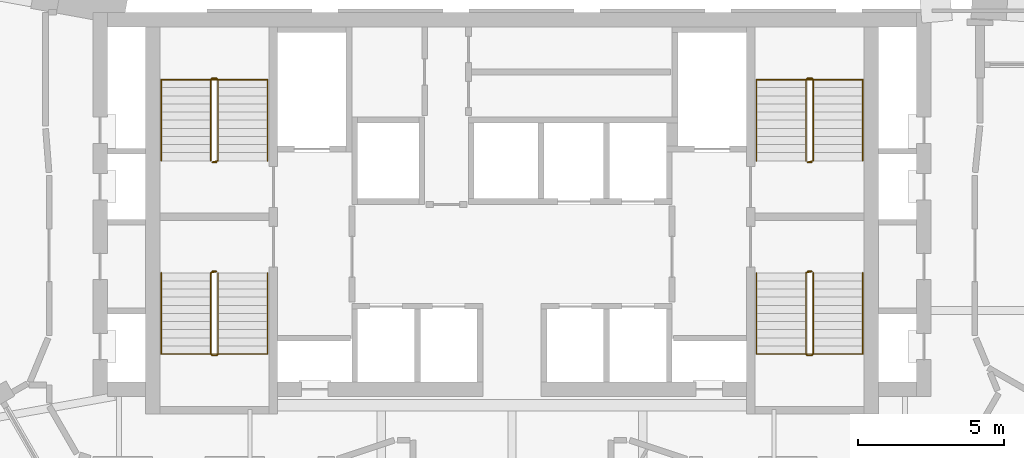
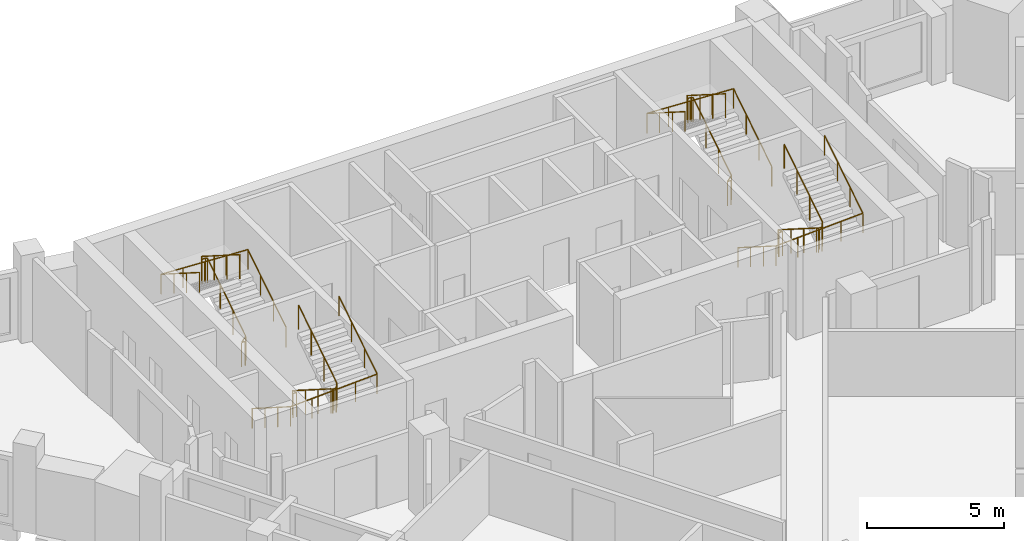
# One storey, part 9 of 9: 8 railings.
"""IFC4 building model written with IfcOpenShell, lengths in metres."""

from ifc_helpers import new_model, si_unit, direction, frame, origin, origin_2d, place, context, subcontext, project, spatial, circle, extrude, material, type_object, element, save


model = new_model("IFC4")

# Units and contexts
model_context = context("Model", 3, precision=1e-05, world=origin(), true_north=direction((0.0, 1.0)))
body_context = subcontext(model_context, "Body", "Model", "MODEL_VIEW")
ifc_project = project(units=[si_unit("LENGTHUNIT", "METRE"), si_unit("AREAUNIT", "SQUARE_METRE"), si_unit("VOLUMEUNIT", "CUBIC_METRE"), si_unit("PLANEANGLEUNIT", "RADIAN"), si_unit("MASSUNIT", "GRAM", prefix="KILO")], contexts=[model_context])

# Site, building, storey
site_placement = place(None, origin())
site = spatial("IfcSite", under=ifc_project, at=site_placement, CompositionType="ELEMENT")
building_placement = place(site_placement, origin())
building = spatial("IfcBuilding", under=site, at=building_placement, Name="Calabash Gate Tower", CompositionType="ELEMENT")
storey_placement = place(building_placement, frame((0.0, 0.0, 239.300048828125)))
storey = spatial("IfcBuildingStorey", under=building, at=storey_placement, Name="L57", CompositionType="ELEMENT", Elevation=239.300048828125)

# Railings
ifc_material_1 = material(Name="Black powder-coated steel balusters", Category="steel")
railing_type_1 = type_object("IfcRailingType", Name="Stair guard RL1100", PredefinedType="GUARDRAIL", material=ifc_material_1)
railing_1_placement = place(storey_placement, frame((-10.14990234375, 13.902587890625, 0.0)))
element("IfcRailing", 1, at=railing_1_placement, inside=storey, type_object=railing_type_1, Name="L57 ST1 stair guard 1", PredefinedType="GUARDRAIL", context=body_context, shape_type="SweptSolid", body=[
    extrude(circle(Radius=0.02392578125, at=origin_2d()), frame((0.0, 0.0, 1.076171875), z_axis=(-1.0, 0.0, 0.0), x_axis=(0.0, -1.0, 0.0)), (0.0, 0.0, 1.0), 0.150146484375),
    extrude(circle(Radius=0.02392578125, at=origin_2d()), frame((-0.150146484375, 0.0, 1.076171875), z_axis=(0.735524641326, 0.184105679453, 0.652003528208), x_axis=(-0.242814311512, 0.970072785993, 0.0)), (0.0, 0.0, 1.0), 0.271728515625),
    extrude(circle(Radius=0.02392578125, at=origin_2d()), frame((0.0498046875, 0.050048828125, 1.25341796875), z_axis=(0.0, 0.844041424197, 0.536277982245), x_axis=(-1.0, 0.0, 0.0)), (0.0, 0.0, 1.0), 3.3056640625),
    extrude(circle(Radius=0.02392578125, at=origin_2d()), frame((0.0498046875, 2.840087890625, 3.02587890625), z_axis=(-0.707106781187, 0.707106781187, 0.0), x_axis=(-0.707106781187, -0.707106781187, 0.0)), (0.0, 0.0, 1.0), 0.0703125),
    extrude(circle(Radius=0.02392578125, at=origin_2d()), frame((0.0, 2.889892578125, 3.02587890625), z_axis=(-1.0, 0.0, 0.0), x_axis=(0.0, -1.0, 0.0)), (0.0, 0.0, 1.0), 0.150146484375),
    extrude(circle(Radius=0.02392578125, at=origin_2d()), frame((-0.150146484375, 2.889892578125, 3.02587890625), z_axis=(-0.262321481514, -0.261041864531, 0.929001929653), x_axis=(0.705375805398, -0.708833529934, 0.0)), (0.0, 0.0, 1.0), 0.190673828125),
    extrude(circle(Radius=0.02392578125, at=origin_2d()), frame((-0.2001953125, 2.840087890625, 3.203125), z_axis=(0.0, -0.844041424197, 0.536277982245), x_axis=(1.0, 0.0, 0.0)), (0.0, 0.0, 1.0), 3.3056640625),
    extrude(circle(Radius=0.02099609375, at=origin_2d()), origin(), (0.0, 0.0, 1.0), 1.052001953125),
    extrude(circle(Radius=0.02099609375, at=origin_2d()), frame((-0.150146484375, 0.0, 0.0)), (0.0, 0.0, 1.0), 1.052001953125),
    extrude(circle(Radius=0.02099609375, at=origin_2d()), frame((0.0498046875, 0.050048828125, 0.17724609375)), (0.0, 0.0, 1.0), 1.052001953125),
    extrude(circle(Radius=0.02099609375, at=origin_2d()), frame((0.0498046875, 0.97998046875, 0.76806640625)), (0.0, 0.0, 1.0), 1.052001953125),
    extrude(circle(Radius=0.02099609375, at=origin_2d()), frame((0.0498046875, 1.91015625, 1.359130859375)), (0.0, 0.0, 1.0), 1.052001953125),
    extrude(circle(Radius=0.02099609375, at=origin_2d()), frame((0.0498046875, 2.840087890625, 1.949951171875)), (0.0, 0.0, 1.0), 1.052001953125),
    extrude(circle(Radius=0.02099609375, at=origin_2d()), frame((0.0, 2.889892578125, 1.949951171875)), (0.0, 0.0, 1.0), 1.052001953125),
    extrude(circle(Radius=0.02099609375, at=origin_2d()), frame((-0.150146484375, 2.889892578125, 1.949951171875)), (0.0, 0.0, 1.0), 1.052001953125),
    extrude(circle(Radius=0.02099609375, at=origin_2d()), frame((-0.2001953125, 2.840087890625, 2.127197265625)), (0.0, 0.0, 1.0), 1.052001953125),
    extrude(circle(Radius=0.02099609375, at=origin_2d()), frame((-0.2001953125, 1.91015625, 2.718017578125)), (0.0, 0.0, 1.0), 1.052001953125),
    extrude(circle(Radius=0.02099609375, at=origin_2d()), frame((-0.2001953125, 0.97998046875, 3.30908203125)), (0.0, 0.0, 1.0), 1.052001953125),
    extrude(circle(Radius=0.02099609375, at=origin_2d()), frame((-0.2001953125, 0.050048828125, 3.89990234375)), (0.0, 0.0, 1.0), 1.052001953125),
])
railing_2_placement = place(storey_placement, frame((-10.300048828125, 10.152587890625, 0.0)))
element("IfcRailing", 2, at=railing_2_placement, inside=storey, type_object=railing_type_1, Name="L57 ST2 stair guard 1", PredefinedType="GUARDRAIL", context=body_context, shape_type="SweptSolid", body=[
    extrude(circle(Radius=0.02392578125, at=origin_2d()), frame((0.0, 0.0, 1.076171875), z_axis=(1.0, 0.0, 0.0), x_axis=(0.0, 1.0, 0.0)), (0.0, 0.0, 1.0), 0.150146484375),
    extrude(circle(Radius=0.02392578125, at=origin_2d()), frame((0.150146484375, 0.0, 1.076171875), z_axis=(-0.735936453418, -0.183984113355, 0.651573006319), x_axis=(0.242535625036, -0.970142500145, 0.0)), (0.0, 0.0, 1.0), 0.27197265625),
    extrude(circle(Radius=0.02392578125, at=origin_2d()), frame((-0.050048828125, -0.050048828125, 1.25341796875), z_axis=(0.0, -0.844041424197, 0.536277982245), x_axis=(1.0, 0.0, 0.0)), (0.0, 0.0, 1.0), 3.3056640625),
    extrude(circle(Radius=0.02392578125, at=origin_2d()), frame((-0.050048828125, -2.840087890625, 3.02587890625), z_axis=(0.708833529934, -0.705375805398, 0.0), x_axis=(0.705375805398, 0.708833529934, 0.0)), (0.0, 0.0, 1.0), 0.070556640625),
    extrude(circle(Radius=0.02392578125, at=origin_2d()), frame((0.0, -2.889892578125, 3.02587890625), z_axis=(1.0, 0.0, 0.0), x_axis=(0.0, 1.0, 0.0)), (0.0, 0.0, 1.0), 0.150146484375),
    extrude(circle(Radius=0.02392578125, at=origin_2d()), frame((0.150146484375, -2.889892578125, 3.02587890625), z_axis=(0.261129318932, 0.261129318932, 0.929313164433), x_axis=(-0.707106781187, 0.707106781187, 0.0)), (0.0, 0.0, 1.0), 0.190673828125),
    extrude(circle(Radius=0.02392578125, at=origin_2d()), frame((0.199951171875, -2.840087890625, 3.203125), z_axis=(0.0, 0.844041424197, 0.536277982245), x_axis=(-1.0, 0.0, 0.0)), (0.0, 0.0, 1.0), 3.3056640625),
    extrude(circle(Radius=0.02099609375, at=origin_2d()), origin(), (0.0, 0.0, 1.0), 1.052001953125),
    extrude(circle(Radius=0.02099609375, at=origin_2d()), frame((0.150146484375, 0.0, 0.0)), (0.0, 0.0, 1.0), 1.052001953125),
    extrude(circle(Radius=0.02099609375, at=origin_2d()), frame((-0.050048828125, -0.050048828125, 0.17724609375)), (0.0, 0.0, 1.0), 1.052001953125),
    extrude(circle(Radius=0.02099609375, at=origin_2d()), frame((-0.050048828125, -0.97998046875, 0.76806640625)), (0.0, 0.0, 1.0), 1.052001953125),
    extrude(circle(Radius=0.02099609375, at=origin_2d()), frame((-0.050048828125, -1.91015625, 1.359130859375)), (0.0, 0.0, 1.0), 1.052001953125),
    extrude(circle(Radius=0.02099609375, at=origin_2d()), frame((-0.050048828125, -2.840087890625, 1.949951171875)), (0.0, 0.0, 1.0), 1.052001953125),
    extrude(circle(Radius=0.02099609375, at=origin_2d()), frame((0.0, -2.889892578125, 1.949951171875)), (0.0, 0.0, 1.0), 1.052001953125),
    extrude(circle(Radius=0.02099609375, at=origin_2d()), frame((0.150146484375, -2.889892578125, 1.949951171875)), (0.0, 0.0, 1.0), 1.052001953125),
    extrude(circle(Radius=0.02099609375, at=origin_2d()), frame((0.199951171875, -2.840087890625, 2.127197265625)), (0.0, 0.0, 1.0), 1.052001953125),
    extrude(circle(Radius=0.02099609375, at=origin_2d()), frame((0.199951171875, -1.91015625, 2.718017578125)), (0.0, 0.0, 1.0), 1.052001953125),
    extrude(circle(Radius=0.02099609375, at=origin_2d()), frame((0.199951171875, -0.97998046875, 3.30908203125)), (0.0, 0.0, 1.0), 1.052001953125),
    extrude(circle(Radius=0.02099609375, at=origin_2d()), frame((0.199951171875, -0.050048828125, 3.89990234375)), (0.0, 0.0, 1.0), 1.052001953125),
])
railing_3_placement = place(storey_placement, frame((10.300048828125, 13.902587890625, 0.0)))
element("IfcRailing", 3, at=railing_3_placement, inside=storey, type_object=railing_type_1, Name="L57 ST3 stair guard 1", PredefinedType="GUARDRAIL", context=body_context, shape_type="SweptSolid", body=[
    extrude(circle(Radius=0.02392578125, at=origin_2d()), frame((0.0, 0.0, 1.076171875), z_axis=(-1.0, 0.0, 0.0), x_axis=(0.0, -1.0, 0.0)), (0.0, 0.0, 1.0), 0.150146484375),
    extrude(circle(Radius=0.02392578125, at=origin_2d()), frame((-0.150146484375, 0.0, 1.076171875), z_axis=(0.735936453418, 0.183984113355, 0.651573006319), x_axis=(-0.242535625036, 0.970142500145, 0.0)), (0.0, 0.0, 1.0), 0.27197265625),
    extrude(circle(Radius=0.02392578125, at=origin_2d()), frame((0.050048828125, 0.050048828125, 1.25341796875), z_axis=(0.0, 0.844041424197, 0.536277982245), x_axis=(-1.0, 0.0, 0.0)), (0.0, 0.0, 1.0), 3.3056640625),
    extrude(circle(Radius=0.02392578125, at=origin_2d()), frame((0.050048828125, 2.840087890625, 3.02587890625), z_axis=(-0.708833529934, 0.705375805398, 0.0), x_axis=(-0.705375805398, -0.708833529934, 0.0)), (0.0, 0.0, 1.0), 0.070556640625),
    extrude(circle(Radius=0.02392578125, at=origin_2d()), frame((0.0, 2.889892578125, 3.02587890625), z_axis=(-1.0, 0.0, 0.0), x_axis=(0.0, -1.0, 0.0)), (0.0, 0.0, 1.0), 0.150146484375),
    extrude(circle(Radius=0.02392578125, at=origin_2d()), frame((-0.150146484375, 2.889892578125, 3.02587890625), z_axis=(-0.261129318932, -0.261129318932, 0.929313164433), x_axis=(0.707106781187, -0.707106781187, 0.0)), (0.0, 0.0, 1.0), 0.190673828125),
    extrude(circle(Radius=0.02392578125, at=origin_2d()), frame((-0.199951171875, 2.840087890625, 3.203125), z_axis=(0.0, -0.844041424197, 0.536277982245), x_axis=(1.0, 0.0, 0.0)), (0.0, 0.0, 1.0), 3.3056640625),
    extrude(circle(Radius=0.02099609375, at=origin_2d()), origin(), (0.0, 0.0, 1.0), 1.052001953125),
    extrude(circle(Radius=0.02099609375, at=origin_2d()), frame((-0.150146484375, 0.0, 0.0)), (0.0, 0.0, 1.0), 1.052001953125),
    extrude(circle(Radius=0.02099609375, at=origin_2d()), frame((0.050048828125, 0.050048828125, 0.17724609375)), (0.0, 0.0, 1.0), 1.052001953125),
    extrude(circle(Radius=0.02099609375, at=origin_2d()), frame((0.050048828125, 0.97998046875, 0.76806640625)), (0.0, 0.0, 1.0), 1.052001953125),
    extrude(circle(Radius=0.02099609375, at=origin_2d()), frame((0.050048828125, 1.91015625, 1.359130859375)), (0.0, 0.0, 1.0), 1.052001953125),
    extrude(circle(Radius=0.02099609375, at=origin_2d()), frame((0.050048828125, 2.840087890625, 1.949951171875)), (0.0, 0.0, 1.0), 1.052001953125),
    extrude(circle(Radius=0.02099609375, at=origin_2d()), frame((0.0, 2.889892578125, 1.949951171875)), (0.0, 0.0, 1.0), 1.052001953125),
    extrude(circle(Radius=0.02099609375, at=origin_2d()), frame((-0.150146484375, 2.889892578125, 1.949951171875)), (0.0, 0.0, 1.0), 1.052001953125),
    extrude(circle(Radius=0.02099609375, at=origin_2d()), frame((-0.199951171875, 2.840087890625, 2.127197265625)), (0.0, 0.0, 1.0), 1.052001953125),
    extrude(circle(Radius=0.02099609375, at=origin_2d()), frame((-0.199951171875, 1.91015625, 2.718017578125)), (0.0, 0.0, 1.0), 1.052001953125),
    extrude(circle(Radius=0.02099609375, at=origin_2d()), frame((-0.199951171875, 0.97998046875, 3.30908203125)), (0.0, 0.0, 1.0), 1.052001953125),
    extrude(circle(Radius=0.02099609375, at=origin_2d()), frame((-0.199951171875, 0.050048828125, 3.89990234375)), (0.0, 0.0, 1.0), 1.052001953125),
])
railing_4_placement = place(storey_placement, frame((10.14990234375, 10.152587890625, 0.0)))
element("IfcRailing", 4, at=railing_4_placement, inside=storey, type_object=railing_type_1, Name="L57 ST4 stair guard 1", PredefinedType="GUARDRAIL", context=body_context, shape_type="SweptSolid", body=[
    extrude(circle(Radius=0.02392578125, at=origin_2d()), frame((0.0, 0.0, 1.076171875), z_axis=(1.0, 0.0, 0.0), x_axis=(0.0, 1.0, 0.0)), (0.0, 0.0, 1.0), 0.150146484375),
    extrude(circle(Radius=0.02392578125, at=origin_2d()), frame((0.150146484375, 0.0, 1.076171875), z_axis=(-0.735524641326, -0.184105679453, 0.652003528208), x_axis=(0.242814311512, -0.970072785993, 0.0)), (0.0, 0.0, 1.0), 0.271728515625),
    extrude(circle(Radius=0.02392578125, at=origin_2d()), frame((-0.0498046875, -0.050048828125, 1.25341796875), z_axis=(0.0, -0.844041424197, 0.536277982245), x_axis=(1.0, 0.0, 0.0)), (0.0, 0.0, 1.0), 3.3056640625),
    extrude(circle(Radius=0.02392578125, at=origin_2d()), frame((-0.0498046875, -2.840087890625, 3.02587890625), z_axis=(0.707106781187, -0.707106781187, 0.0), x_axis=(0.707106781187, 0.707106781187, 0.0)), (0.0, 0.0, 1.0), 0.0703125),
    extrude(circle(Radius=0.02392578125, at=origin_2d()), frame((0.0, -2.889892578125, 3.02587890625), z_axis=(1.0, 0.0, 0.0), x_axis=(0.0, 1.0, 0.0)), (0.0, 0.0, 1.0), 0.150146484375),
    extrude(circle(Radius=0.02392578125, at=origin_2d()), frame((0.150146484375, -2.889892578125, 3.02587890625), z_axis=(0.262321481514, 0.261041864531, 0.929001929653), x_axis=(-0.705375805398, 0.708833529934, 0.0)), (0.0, 0.0, 1.0), 0.190673828125),
    extrude(circle(Radius=0.02392578125, at=origin_2d()), frame((0.2001953125, -2.840087890625, 3.203125), z_axis=(0.0, 0.844041424197, 0.536277982245), x_axis=(-1.0, 0.0, 0.0)), (0.0, 0.0, 1.0), 3.3056640625),
    extrude(circle(Radius=0.02099609375, at=origin_2d()), origin(), (0.0, 0.0, 1.0), 1.052001953125),
    extrude(circle(Radius=0.02099609375, at=origin_2d()), frame((0.150146484375, 0.0, 0.0)), (0.0, 0.0, 1.0), 1.052001953125),
    extrude(circle(Radius=0.02099609375, at=origin_2d()), frame((-0.0498046875, -0.050048828125, 0.17724609375)), (0.0, 0.0, 1.0), 1.052001953125),
    extrude(circle(Radius=0.02099609375, at=origin_2d()), frame((-0.0498046875, -0.97998046875, 0.76806640625)), (0.0, 0.0, 1.0), 1.052001953125),
    extrude(circle(Radius=0.02099609375, at=origin_2d()), frame((-0.0498046875, -1.91015625, 1.359130859375)), (0.0, 0.0, 1.0), 1.052001953125),
    extrude(circle(Radius=0.02099609375, at=origin_2d()), frame((-0.0498046875, -2.840087890625, 1.949951171875)), (0.0, 0.0, 1.0), 1.052001953125),
    extrude(circle(Radius=0.02099609375, at=origin_2d()), frame((0.0, -2.889892578125, 1.949951171875)), (0.0, 0.0, 1.0), 1.052001953125),
    extrude(circle(Radius=0.02099609375, at=origin_2d()), frame((0.150146484375, -2.889892578125, 1.949951171875)), (0.0, 0.0, 1.0), 1.052001953125),
    extrude(circle(Radius=0.02099609375, at=origin_2d()), frame((0.2001953125, -2.840087890625, 2.127197265625)), (0.0, 0.0, 1.0), 1.052001953125),
    extrude(circle(Radius=0.02099609375, at=origin_2d()), frame((0.2001953125, -1.91015625, 2.718017578125)), (0.0, 0.0, 1.0), 1.052001953125),
    extrude(circle(Radius=0.02099609375, at=origin_2d()), frame((0.2001953125, -0.97998046875, 3.30908203125)), (0.0, 0.0, 1.0), 1.052001953125),
    extrude(circle(Radius=0.02099609375, at=origin_2d()), frame((0.2001953125, -0.050048828125, 3.89990234375)), (0.0, 0.0, 1.0), 1.052001953125),
])
ifc_material_2 = material(Name="Black powder-coated steel tube 48 mm", Category="steel")
railing_type_2 = type_object("IfcRailingType", Name="Stair handrail RL900", PredefinedType="HANDRAIL", material=ifc_material_2)
railing_5_placement = place(storey_placement, frame((-8.39990234375, 13.95263671875, 0.17724609375)))
element("IfcRailing", 5, at=railing_5_placement, inside=storey, type_object=railing_type_2, Name="L57 ST1 stair handrail 1", PredefinedType="HANDRAIL", context=body_context, shape_type="SweptSolid", body=[
    extrude(circle(Radius=0.02392578125, at=origin_2d()), frame((0.0, 0.0, 0.8759765625), z_axis=(0.0, 0.844041424197, 0.536277982245), x_axis=(-1.0, 0.0, 0.0)), (0.0, 0.0, 1.0), 3.3056640625),
    extrude(circle(Radius=0.02392578125, at=origin_2d()), frame((0.0, 2.7900390625, 2.6484375), z_axis=(-0.998823110844, 0.0, 0.048501476722), x_axis=(0.0, -1.0, 0.0)), (0.0, 0.0, 1.0), 3.654541015625),
    extrude(circle(Radius=0.02392578125, at=origin_2d()), frame((-3.650146484375, 2.7900390625, 2.82568359375), z_axis=(0.0, -0.844041424197, 0.536277982245), x_axis=(1.0, 0.0, 0.0)), (0.0, 0.0, 1.0), 3.3056640625),
    extrude(circle(Radius=0.02099609375, at=origin_2d()), origin(), (0.0, 0.0, 1.0), 0.851806640625),
    extrude(circle(Radius=0.02099609375, at=origin_2d()), frame((0.0, 0.929931640625, 0.5908203125)), (0.0, 0.0, 1.0), 0.851806640625),
    extrude(circle(Radius=0.02099609375, at=origin_2d()), frame((0.0, 1.860107421875, 1.181884765625)), (0.0, 0.0, 1.0), 0.851806640625),
    extrude(circle(Radius=0.02099609375, at=origin_2d()), frame((0.0, 2.7900390625, 1.772705078125)), (0.0, 0.0, 1.0), 0.851806640625),
    extrude(circle(Radius=0.02099609375, at=origin_2d()), frame((-0.91259765625, 2.7900390625, 1.81689453125)), (0.0, 0.0, 1.0), 0.851806640625),
    extrude(circle(Radius=0.02099609375, at=origin_2d()), frame((-1.8251953125, 2.7900390625, 1.861328125)), (0.0, 0.0, 1.0), 0.851806640625),
    extrude(circle(Radius=0.02099609375, at=origin_2d()), frame((-2.737548828125, 2.7900390625, 1.90576171875)), (0.0, 0.0, 1.0), 0.851806640625),
    extrude(circle(Radius=0.02099609375, at=origin_2d()), frame((-3.650146484375, 2.7900390625, 1.949951171875)), (0.0, 0.0, 1.0), 0.851806640625),
    extrude(circle(Radius=0.02099609375, at=origin_2d()), frame((-3.650146484375, 1.860107421875, 2.540771484375)), (0.0, 0.0, 1.0), 0.851806640625),
    extrude(circle(Radius=0.02099609375, at=origin_2d()), frame((-3.650146484375, 0.929931640625, 3.1318359375)), (0.0, 0.0, 1.0), 0.851806640625),
    extrude(circle(Radius=0.02099609375, at=origin_2d()), frame((-3.650146484375, 0.0, 3.72265625)), (0.0, 0.0, 1.0), 0.851806640625),
])
railing_6_placement = place(storey_placement, frame((-12.050048828125, 10.1025390625, 0.17724609375)))
element("IfcRailing", 6, at=railing_6_placement, inside=storey, type_object=railing_type_2, Name="L57 ST2 stair handrail 1", PredefinedType="HANDRAIL", context=body_context, shape_type="SweptSolid", body=[
    extrude(circle(Radius=0.02392578125, at=origin_2d()), frame((0.0, 0.0, 0.8759765625), z_axis=(0.0, -0.844041424197, 0.536277982245), x_axis=(1.0, 0.0, 0.0)), (0.0, 0.0, 1.0), 3.3056640625),
    extrude(circle(Radius=0.02392578125, at=origin_2d()), frame((0.0, -2.7900390625, 2.6484375), z_axis=(0.998823110844, 0.0, 0.048501476722), x_axis=(0.0, 1.0, 0.0)), (0.0, 0.0, 1.0), 3.654541015625),
    extrude(circle(Radius=0.02392578125, at=origin_2d()), frame((3.650146484375, -2.7900390625, 2.82568359375), z_axis=(0.0, 0.844041424197, 0.536277982245), x_axis=(-1.0, 0.0, 0.0)), (0.0, 0.0, 1.0), 3.3056640625),
    extrude(circle(Radius=0.02099609375, at=origin_2d()), origin(), (0.0, 0.0, 1.0), 0.851806640625),
    extrude(circle(Radius=0.02099609375, at=origin_2d()), frame((0.0, -0.929931640625, 0.5908203125)), (0.0, 0.0, 1.0), 0.851806640625),
    extrude(circle(Radius=0.02099609375, at=origin_2d()), frame((0.0, -1.860107421875, 1.181884765625)), (0.0, 0.0, 1.0), 0.851806640625),
    extrude(circle(Radius=0.02099609375, at=origin_2d()), frame((0.0, -2.7900390625, 1.772705078125)), (0.0, 0.0, 1.0), 0.851806640625),
    extrude(circle(Radius=0.02099609375, at=origin_2d()), frame((0.91259765625, -2.7900390625, 1.81689453125)), (0.0, 0.0, 1.0), 0.851806640625),
    extrude(circle(Radius=0.02099609375, at=origin_2d()), frame((1.8251953125, -2.7900390625, 1.861328125)), (0.0, 0.0, 1.0), 0.851806640625),
    extrude(circle(Radius=0.02099609375, at=origin_2d()), frame((2.737548828125, -2.7900390625, 1.90576171875)), (0.0, 0.0, 1.0), 0.851806640625),
    extrude(circle(Radius=0.02099609375, at=origin_2d()), frame((3.650146484375, -2.7900390625, 1.949951171875)), (0.0, 0.0, 1.0), 0.851806640625),
    extrude(circle(Radius=0.02099609375, at=origin_2d()), frame((3.650146484375, -1.860107421875, 2.540771484375)), (0.0, 0.0, 1.0), 0.851806640625),
    extrude(circle(Radius=0.02099609375, at=origin_2d()), frame((3.650146484375, -0.929931640625, 3.1318359375)), (0.0, 0.0, 1.0), 0.851806640625),
    extrude(circle(Radius=0.02099609375, at=origin_2d()), frame((3.650146484375, 0.0, 3.72265625)), (0.0, 0.0, 1.0), 0.851806640625),
])
railing_7_placement = place(storey_placement, frame((12.050048828125, 13.95263671875, 0.17724609375)))
element("IfcRailing", 7, at=railing_7_placement, inside=storey, type_object=railing_type_2, Name="L57 ST3 stair handrail 1", PredefinedType="HANDRAIL", context=body_context, shape_type="SweptSolid", body=[
    extrude(circle(Radius=0.02392578125, at=origin_2d()), frame((0.0, 0.0, 0.8759765625), z_axis=(0.0, 0.844041424197, 0.536277982245), x_axis=(-1.0, 0.0, 0.0)), (0.0, 0.0, 1.0), 3.3056640625),
    extrude(circle(Radius=0.02392578125, at=origin_2d()), frame((0.0, 2.7900390625, 2.6484375), z_axis=(-0.998823110844, 0.0, 0.048501476722), x_axis=(0.0, -1.0, 0.0)), (0.0, 0.0, 1.0), 3.654541015625),
    extrude(circle(Radius=0.02392578125, at=origin_2d()), frame((-3.650146484375, 2.7900390625, 2.82568359375), z_axis=(0.0, -0.844041424197, 0.536277982245), x_axis=(1.0, 0.0, 0.0)), (0.0, 0.0, 1.0), 3.3056640625),
    extrude(circle(Radius=0.02099609375, at=origin_2d()), origin(), (0.0, 0.0, 1.0), 0.851806640625),
    extrude(circle(Radius=0.02099609375, at=origin_2d()), frame((0.0, 0.929931640625, 0.5908203125)), (0.0, 0.0, 1.0), 0.851806640625),
    extrude(circle(Radius=0.02099609375, at=origin_2d()), frame((0.0, 1.860107421875, 1.181884765625)), (0.0, 0.0, 1.0), 0.851806640625),
    extrude(circle(Radius=0.02099609375, at=origin_2d()), frame((0.0, 2.7900390625, 1.772705078125)), (0.0, 0.0, 1.0), 0.851806640625),
    extrude(circle(Radius=0.02099609375, at=origin_2d()), frame((-0.91259765625, 2.7900390625, 1.81689453125)), (0.0, 0.0, 1.0), 0.851806640625),
    extrude(circle(Radius=0.02099609375, at=origin_2d()), frame((-1.8251953125, 2.7900390625, 1.861328125)), (0.0, 0.0, 1.0), 0.851806640625),
    extrude(circle(Radius=0.02099609375, at=origin_2d()), frame((-2.737548828125, 2.7900390625, 1.90576171875)), (0.0, 0.0, 1.0), 0.851806640625),
    extrude(circle(Radius=0.02099609375, at=origin_2d()), frame((-3.650146484375, 2.7900390625, 1.949951171875)), (0.0, 0.0, 1.0), 0.851806640625),
    extrude(circle(Radius=0.02099609375, at=origin_2d()), frame((-3.650146484375, 1.860107421875, 2.540771484375)), (0.0, 0.0, 1.0), 0.851806640625),
    extrude(circle(Radius=0.02099609375, at=origin_2d()), frame((-3.650146484375, 0.929931640625, 3.1318359375)), (0.0, 0.0, 1.0), 0.851806640625),
    extrude(circle(Radius=0.02099609375, at=origin_2d()), frame((-3.650146484375, 0.0, 3.72265625)), (0.0, 0.0, 1.0), 0.851806640625),
])
railing_8_placement = place(storey_placement, frame((8.39990234375, 10.1025390625, 0.17724609375)))
element("IfcRailing", 8, at=railing_8_placement, inside=storey, type_object=railing_type_2, Name="L57 ST4 stair handrail 1", PredefinedType="HANDRAIL", context=body_context, shape_type="SweptSolid", body=[
    extrude(circle(Radius=0.02392578125, at=origin_2d()), frame((0.0, 0.0, 0.8759765625), z_axis=(0.0, -0.844041424197, 0.536277982245), x_axis=(1.0, 0.0, 0.0)), (0.0, 0.0, 1.0), 3.3056640625),
    extrude(circle(Radius=0.02392578125, at=origin_2d()), frame((0.0, -2.7900390625, 2.6484375), z_axis=(0.998823110844, 0.0, 0.048501476722), x_axis=(0.0, 1.0, 0.0)), (0.0, 0.0, 1.0), 3.654541015625),
    extrude(circle(Radius=0.02392578125, at=origin_2d()), frame((3.650146484375, -2.7900390625, 2.82568359375), z_axis=(0.0, 0.844041424197, 0.536277982245), x_axis=(-1.0, 0.0, 0.0)), (0.0, 0.0, 1.0), 3.3056640625),
    extrude(circle(Radius=0.02099609375, at=origin_2d()), origin(), (0.0, 0.0, 1.0), 0.851806640625),
    extrude(circle(Radius=0.02099609375, at=origin_2d()), frame((0.0, -0.929931640625, 0.5908203125)), (0.0, 0.0, 1.0), 0.851806640625),
    extrude(circle(Radius=0.02099609375, at=origin_2d()), frame((0.0, -1.860107421875, 1.181884765625)), (0.0, 0.0, 1.0), 0.851806640625),
    extrude(circle(Radius=0.02099609375, at=origin_2d()), frame((0.0, -2.7900390625, 1.772705078125)), (0.0, 0.0, 1.0), 0.851806640625),
    extrude(circle(Radius=0.02099609375, at=origin_2d()), frame((0.91259765625, -2.7900390625, 1.81689453125)), (0.0, 0.0, 1.0), 0.851806640625),
    extrude(circle(Radius=0.02099609375, at=origin_2d()), frame((1.8251953125, -2.7900390625, 1.861328125)), (0.0, 0.0, 1.0), 0.851806640625),
    extrude(circle(Radius=0.02099609375, at=origin_2d()), frame((2.737548828125, -2.7900390625, 1.90576171875)), (0.0, 0.0, 1.0), 0.851806640625),
    extrude(circle(Radius=0.02099609375, at=origin_2d()), frame((3.650146484375, -2.7900390625, 1.949951171875)), (0.0, 0.0, 1.0), 0.851806640625),
    extrude(circle(Radius=0.02099609375, at=origin_2d()), frame((3.650146484375, -1.860107421875, 2.540771484375)), (0.0, 0.0, 1.0), 0.851806640625),
    extrude(circle(Radius=0.02099609375, at=origin_2d()), frame((3.650146484375, -0.929931640625, 3.1318359375)), (0.0, 0.0, 1.0), 0.851806640625),
    extrude(circle(Radius=0.02099609375, at=origin_2d()), frame((3.650146484375, 0.0, 3.72265625)), (0.0, 0.0, 1.0), 0.851806640625),
])

save(model, "model.ifc")
